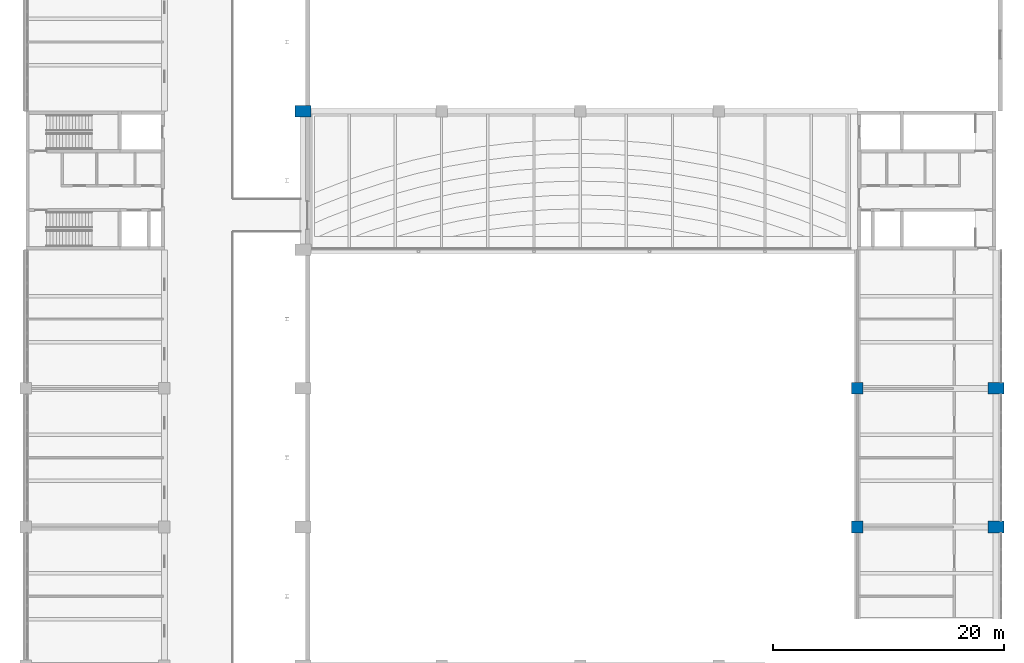
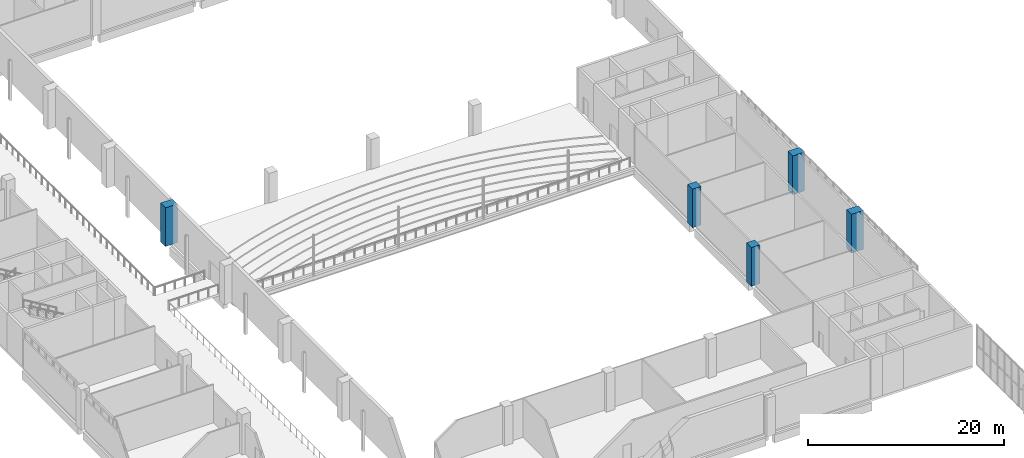
# One storey, part 7 of 69: 5 columns.
"""IFC4 building model written with IfcOpenShell, lengths in metres."""

from ifc_helpers import new_model, si_unit, direction, frame, origin, origin_2d, place, context, subcontext, project, spatial, rectangle, extrude, material, material_profile, profile_set, type_object, element, save


model = new_model("IFC4")

# Units and contexts
model_context = context("Model", 3, precision=1e-05, world=origin(), true_north=direction((0.0, 1.0)))
body_context = subcontext(model_context, "Body", "Model", "MODEL_VIEW")
ifc_project = project(units=[si_unit("LENGTHUNIT", "METRE"), si_unit("AREAUNIT", "SQUARE_METRE"), si_unit("VOLUMEUNIT", "CUBIC_METRE"), si_unit("PLANEANGLEUNIT", "RADIAN"), si_unit("MASSUNIT", "GRAM", prefix="KILO")], contexts=[model_context])

# Site, building, storey
site_placement = place(None, origin())
site = spatial("IfcSite", under=ifc_project, at=site_placement, CompositionType="ELEMENT")
building_placement = place(site_placement, origin())
building = spatial("IfcBuilding", under=site, at=building_placement, Name="Lilac Gate Convention Centre", CompositionType="ELEMENT")
storey_placement = place(building_placement, frame((0.0, 0.0, 12.0)))
storey = spatial("IfcBuildingStorey", under=building, at=storey_placement, Name="L02", CompositionType="ELEMENT", Elevation=12.0)

# Columns
ifc_material = material(Name="Concrete C40", Category="concrete")
ifc_material_profile_1 = material_profile(ifc_material, rectangle(XDim=1.0, YDim=1.0, at=origin_2d()), Name="RC 1000x1000")
ifc_profile_set_1 = profile_set([ifc_material_profile_1], Name="Concrete C40")
column_type_1 = type_object("IfcColumnType", Name="RC column 1000x1000 C40", PredefinedType="COLUMN", material=ifc_profile_set_1)
for number, where, z_axis, x_axis, name in (
    (1, (78.0, 126.0, 0.0), (0.0, 0.0, 1.0), (1.0, 0.0, 0.0), "C1 L02 at 7/J"),
    (2, (78.0, 138.0, 0.0), (0.0, 0.0, 1.0), (1.0, 0.0, 0.0), "C1 L02 at 7/K"),
):
    element("IfcColumn", number, at=place(storey_placement, frame(where, z_axis=z_axis, x_axis=x_axis)), inside=storey, type_object=column_type_1, Name=name, PredefinedType="COLUMN", context=body_context, shape_type="SweptSolid", body=[
        extrude(rectangle(XDim=1.0, YDim=1.0, at=origin_2d()), origin(), (0.0, 0.0, 1.0), 4.824951171875),
    ])
ifc_material_profile_2 = material_profile(ifc_material, rectangle(XDim=1.39990234375, YDim=1.0, at=origin_2d()), Name="RC 1400x1000")
ifc_profile_set_2 = profile_set([ifc_material_profile_2], Name="Concrete C40")
column_type_2 = type_object("IfcColumnType", Name="RC hall column 1400x1000 C40", PredefinedType="COLUMN", material=ifc_profile_set_2)
for number, where, z_axis, x_axis, name in (
    (3, (30.0, 162.0, 0.0), (0.0, 0.0, 1.0), (1.0, 0.0, 0.0), "C2 L02 at 3/M"),
    (4, (90.0, 126.0, 0.0), (0.0, 0.0, 1.0), (1.0, 0.0, 0.0), "C2 L02 at 8/J"),
    (5, (90.0, 138.0, 0.0), (0.0, 0.0, 1.0), (1.0, 0.0, 0.0), "C2 L02 at 8/K"),
):
    element("IfcColumn", number, at=place(storey_placement, frame(where, z_axis=z_axis, x_axis=x_axis)), inside=storey, type_object=column_type_2, Name=name, PredefinedType="COLUMN", context=body_context, shape_type="SweptSolid", body=[
        extrude(rectangle(XDim=1.39990234375, YDim=1.0, at=origin_2d()), origin(), (0.0, 0.0, 1.0), 4.824951171875),
    ])

save(model, "model.ifc")
